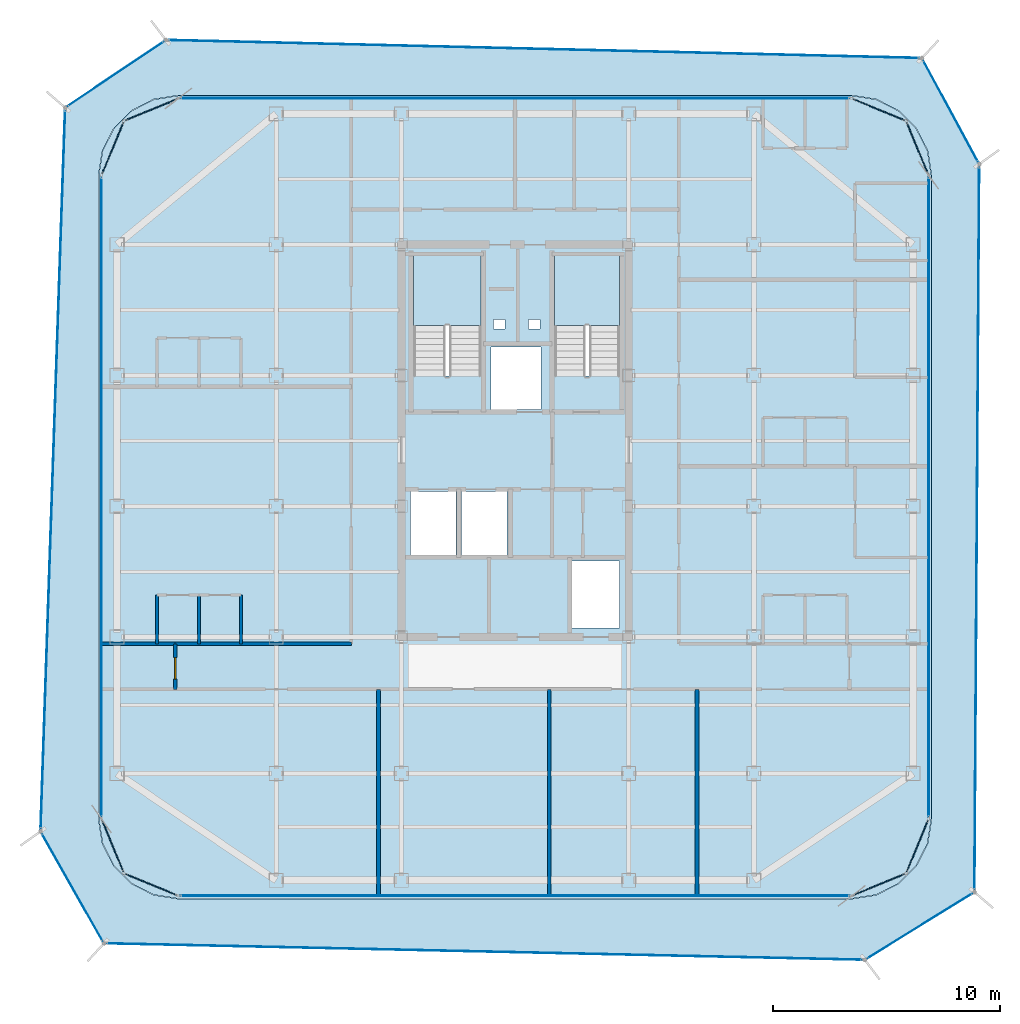
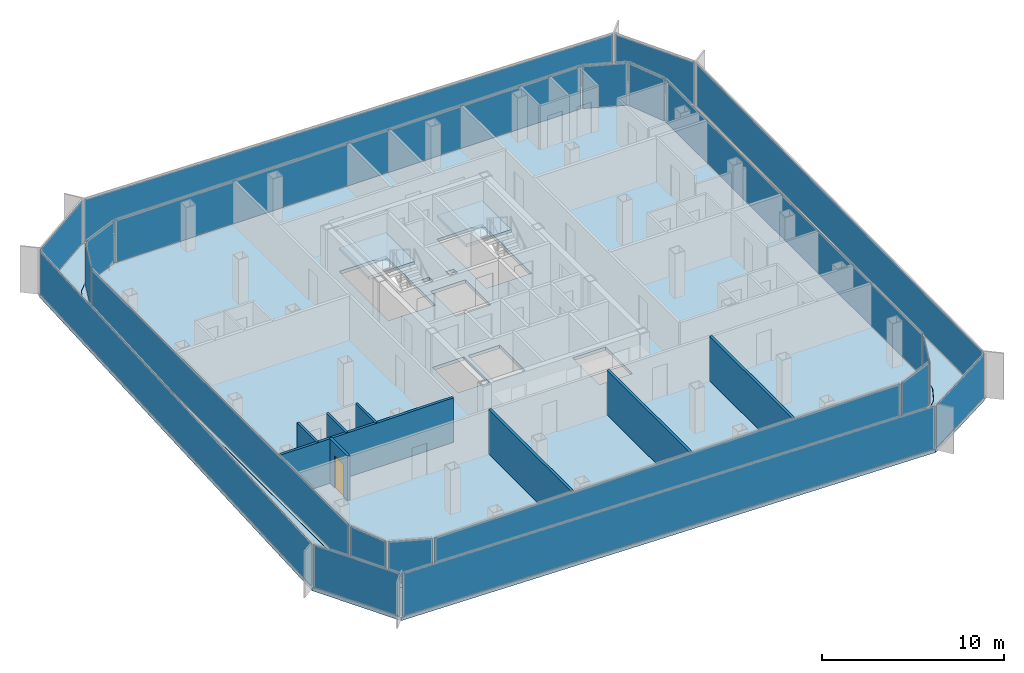
# One storey, part 9 of 15: 20 plates, 9 walls, 4 slabs, 1 door, 1 opening, 22 elements without a shape of their own.
"""IFC4 building model written with IfcOpenShell, lengths in metres."""

from ifc_helpers import new_model, si_unit, direction, frame, frame_2d, origin, origin_2d, place, context, subcontext, project, spatial, polyline, rectangle, outline, extrude, source, transform, mapped, material, layer, layer_set, type_object, element, fill, aggregate, save


model = new_model("IFC4")

# Units and contexts
model_context = context("Model", 3, precision=1e-05, world=origin(), true_north=direction((0.0, 1.0)))
body_context = subcontext(model_context, "Body", "Model", "MODEL_VIEW")
ifc_project = project(units=[si_unit("LENGTHUNIT", "METRE"), si_unit("AREAUNIT", "SQUARE_METRE"), si_unit("VOLUMEUNIT", "CUBIC_METRE"), si_unit("PLANEANGLEUNIT", "RADIAN"), si_unit("MASSUNIT", "GRAM", prefix="KILO")], contexts=[model_context])

# Site, building, storey
site_placement = place(None, origin())
site = spatial("IfcSite", under=ifc_project, at=site_placement, CompositionType="ELEMENT")
building_placement = place(site_placement, origin())
building = spatial("IfcBuilding", under=site, at=building_placement, Name="Kolveth Station Tower", CompositionType="ELEMENT")
storey_placement = place(building_placement, frame((0.0, 0.0, 248.89990234375)))
storey = spatial("IfcBuildingStorey", under=building, at=storey_placement, Name="L71", CompositionType="ELEMENT", Elevation=248.89990234375)

# Slab
ifc_material_1 = material(Name="Concrete C40/50", Category="concrete")
ifc_layer_1 = layer(ifc_material_1, 0.219970703125)
ifc_layer_set_1 = layer_set([ifc_layer_1], Name="Concrete C40/50")
slab_type_1 = type_object("IfcSlabType", Name="Slab_SF-220", PredefinedType="FLOOR", material=ifc_layer_set_1)
slab_1_placement = place(storey_placement, frame((0.0, 0.0, -0.219970703125)))
element("IfcSlab", 1, at=slab_1_placement, inside=storey, type_object=slab_type_1, Name="L71 Tower Structural Floor Slab", PredefinedType="FLOOR", context=body_context, shape_type="SweptSolid", body=[
    extrude(outline(polyline([(38.300048828125, 0.0), (39.381591796875, 0.17138671875), (40.357177734375, 0.66845703125), (41.131591796875, 1.44287109375), (41.628662109375, 2.41845703125), (41.800048828125, 3.5), (41.800048828125, 31.800048828125), (41.628662109375, 32.881591796875), (41.131591796875, 33.857177734375), (40.357177734375, 34.631591796875), (39.381591796875, 35.128662109375), (38.300048828125, 35.300048828125), (8.699951171875, 35.300048828125), (7.618408203125, 35.128662109375), (6.642822265625, 34.631591796875), (5.868408203125, 33.857177734375), (5.371337890625, 32.881591796875), (5.199951171875, 31.800048828125), (5.199951171875, 3.5), (5.371337890625, 2.41845703125), (5.868408203125, 1.44287109375), (6.642822265625, 0.66845703125), (7.618408203125, 0.17138671875), (8.699951171875, 0.0), (38.300048828125, 0.0)]), holes=[polyline([(19.0400390625, 22.985107421875), (22.0, 22.985107421875), (22.0, 28.39990234375), (19.0400390625, 28.39990234375), (19.0400390625, 22.985107421875)]), polyline([(25.239990234375, 22.985107421875), (28.10009765625, 22.985107421875), (28.10009765625, 28.39990234375), (25.239990234375, 28.39990234375), (25.239990234375, 22.985107421875)]), polyline([(18.89990234375, 15.10009765625), (20.89990234375, 15.10009765625), (20.89990234375, 17.89990234375), (18.89990234375, 17.89990234375), (18.89990234375, 15.10009765625)]), polyline([(21.14990234375, 15.10009765625), (23.14990234375, 15.10009765625), (23.14990234375, 17.89990234375), (21.14990234375, 17.89990234375), (21.14990234375, 15.10009765625)]), polyline([(22.449951171875, 21.5), (24.64990234375, 21.5), (24.64990234375, 24.25), (22.449951171875, 24.25), (22.449951171875, 21.5)]), polyline([(26.0, 11.89990234375), (28.10009765625, 11.89990234375), (28.10009765625, 14.85009765625), (26.0, 14.85009765625), (26.0, 11.89990234375)]), polyline([(22.550048828125, 25.050048828125), (23.050048828125, 25.050048828125), (23.050048828125, 25.449951171875), (22.550048828125, 25.449951171875), (22.550048828125, 25.050048828125)]), polyline([(24.10009765625, 25.050048828125), (24.60009765625, 25.050048828125), (24.60009765625, 25.449951171875), (24.10009765625, 25.449951171875), (24.10009765625, 25.050048828125)])]), origin(), (0.0, 0.0, 1.0), 0.219970703125),
])

# Stair, slab
stair_type_1 = type_object("IfcStairType", Name="Stair_ST2", PredefinedType="HALF_TURN_STAIR", material=ifc_material_1)
stair_1_placement = place(storey_placement, origin())
stair_1 = element("IfcStair", 2, at=stair_1_placement, inside=storey, type_object=stair_type_1, Name="L71 Tower Exit Stair ST2", PredefinedType="HALF_TURN_STAIR")
ifc_layer_2 = layer(ifc_material_1, 0.18994140625)
ifc_layer_set_2 = layer_set([ifc_layer_2], Name="Concrete C40/50")
slab_type_2 = type_object("IfcSlabType", Name="Slab_SL-190", PredefinedType="LANDING", material=ifc_layer_set_2)
slab_2_placement = place(storey_placement, frame((0.0, 0.0, 1.400146484375)))
slab_2 = element("IfcSlab", 3, at=slab_2_placement, type_object=slab_type_2, Name="ST2 landing 1", PredefinedType="LANDING", context=body_context, shape_type="SweptSolid", body=[
    extrude(outline(polyline([(28.10009765625, 25.18994140625), (28.10009765625, 28.39990234375), (25.239990234375, 28.39990234375), (25.239990234375, 25.18994140625), (28.10009765625, 25.18994140625)])), origin(), (0.0, 0.0, 1.0), 0.199951171875),
])
aggregate(stair_1, [slab_2])

stair_type_2 = type_object("IfcStairType", Name="Stair_ST1", PredefinedType="HALF_TURN_STAIR", material=ifc_material_1)
stair_2_placement = place(storey_placement, origin())
stair_2 = element("IfcStair", 4, at=stair_2_placement, inside=storey, type_object=stair_type_2, Name="L71 Tower Exit Stair ST1", PredefinedType="HALF_TURN_STAIR")
ifc_layer_3 = layer(ifc_material_1, 0.205078125)
ifc_layer_set_3 = layer_set([ifc_layer_3], Name="Concrete C40/50")
slab_type_3 = type_object("IfcSlabType", Name="Slab_SL-205", PredefinedType="LANDING", material=ifc_layer_set_3)
slab_3_placement = place(storey_placement, frame((0.0, 0.0, 1.400146484375)))
slab_3 = element("IfcSlab", 5, at=slab_3_placement, type_object=slab_type_3, Name="ST1 landing 1", PredefinedType="LANDING", context=body_context, shape_type="SweptSolid", body=[
    extrude(outline(polyline([(22.0, 25.18994140625), (22.0, 28.39990234375), (19.0400390625, 28.39990234375), (19.0400390625, 25.18994140625), (22.0, 25.18994140625)])), origin(), (0.0, 0.0, 1.0), 0.199951171875),
])
aggregate(stair_2, [slab_3])

# Slab
ifc_layer_4 = layer(ifc_material_1, 0.2099609375)
ifc_layer_set_4 = layer_set([ifc_layer_4], Name="Concrete C40/50")
slab_type_4 = type_object("IfcSlabType", Name="Slab_ST-210", PredefinedType="FLOOR", material=ifc_layer_set_4)
slab_4_placement = place(storey_placement, frame((0.0, 0.0, -0.2099609375)))
element("IfcSlab", 6, at=slab_4_placement, inside=storey, type_object=slab_type_4, Name="L71 Double-Skin Cavity Structural Ledger Ring", PredefinedType="FLOOR", context=body_context, shape_type="SweptSolid", body=[
    extrude(outline(polyline([(5.428466796875, -1.969482421875), (2.64111328125, 2.952392578125), (3.724609375, 34.770751953125), (8.152099609375, 37.745361328125), (41.389892578125, 36.951904296875), (43.91162109375, 32.2919921875), (43.70068359375, 0.28564453125), (38.87890625, -2.694091796875), (5.428466796875, -1.969482421875)]), holes=[polyline([(38.30224609375, -0.014892578125), (39.3837890625, 0.156494140625), (39.388427734375, 0.157958984375), (40.364013671875, 0.655029296875), (40.367919921875, 0.65771484375), (41.14208984375, 1.43212890625), (41.14501953125, 1.43603515625), (41.64208984375, 2.41162109375), (41.6435546875, 2.416015625), (41.814697265625, 3.497802734375), (41.81494140625, 3.5), (41.81494140625, 31.800048828125), (41.814697265625, 31.80224609375), (41.6435546875, 32.8837890625), (41.64208984375, 32.888427734375), (41.14501953125, 33.864013671875), (41.14208984375, 33.867919921875), (40.367919921875, 34.64208984375), (40.364013671875, 34.64501953125), (39.388427734375, 35.14208984375), (39.3837890625, 35.1435546875), (38.30224609375, 35.314697265625), (38.300048828125, 35.31494140625), (8.699951171875, 35.31494140625), (8.69775390625, 35.314697265625), (7.6162109375, 35.1435546875), (7.611572265625, 35.14208984375), (6.635986328125, 34.64501953125), (6.632080078125, 34.64208984375), (5.85791015625, 33.867919921875), (5.85498046875, 33.864013671875), (5.35791015625, 32.888427734375), (5.3564453125, 32.8837890625), (5.185302734375, 31.80224609375), (5.18505859375, 31.800048828125), (5.18505859375, 3.5), (5.185302734375, 3.497802734375), (5.3564453125, 2.416015625), (5.35791015625, 2.41162109375), (5.85498046875, 1.43603515625), (5.85791015625, 1.43212890625), (6.632080078125, 0.65771484375), (6.635986328125, 0.655029296875), (7.611572265625, 0.157958984375), (7.6162109375, 0.156494140625), (8.69775390625, -0.014892578125), (8.699951171875, -0.014892578125), (38.300048828125, -0.014892578125), (38.30224609375, -0.014892578125)])]), origin(), (0.0, 0.0, 1.0), 0.2099609375),
])

# Curtain wall, plate
ifc_material_2 = material(Name="Aluminium 6063-T6 and triple low-E dark glass", Category="aluminium")
ifc_layer_5 = layer(ifc_material_2, 0.199951171875)
ifc_layer_set_5 = layer_set([ifc_layer_5], Name="Aluminium 6063-T6 and triple low-E dark glass")
curtain_wall_type_1 = type_object("IfcCurtainWallType", Name="CurtainWall_CW-Z3", PredefinedType="NOTDEFINED", material=ifc_layer_set_5)
curtain_wall_1_placement = place(storey_placement, origin())
curtain_wall_1 = element("IfcCurtainWall", 7, at=curtain_wall_1_placement, inside=storey, type_object=curtain_wall_type_1, Name="L71 Inner Thermal Curtain Wall 1", PredefinedType="NOTDEFINED")
ifc_material_3 = material(Name="Architectural low-E dark glass", Category="glass")
ifc_layer_6 = layer(ifc_material_3, 0.0419921875)
ifc_layer_set_6 = layer_set([ifc_layer_6], Name="Architectural low-E dark glass")
plate_type_1 = type_object("IfcPlateType", Name="Panel_GL3", PredefinedType="CURTAIN_PANEL", material=ifc_layer_set_6)
shared_shape_1 = source(origin(), body_context, "Body", "SweptSolid", [
    extrude(rectangle(XDim=2.430908203125, YDim=0.0419921875, at=origin_2d()), origin(), (0.0, 0.0, 1.0), 2.823974609375),
])
plate_1_placement = place(storey_placement, frame((39.4951171875, 0.614990234375, 0.078125), z_axis=(0.0, 0.0, 1.0), x_axis=(0.923875488975, 0.382693194181, 0.0)))
plate_1 = element("IfcPlate", 8, at=plate_1_placement, type_object=plate_type_1, Name="CW-Z3 panel 1.1", PredefinedType="CURTAIN_PANEL", context=body_context, shape_type="MappedRepresentation", body=[
    mapped(shared_shape_1, transform((0.0, 0.0, 0.0), x_axis=(1.0, 0.0, 0.0), y_axis=(0.0, 1.0, 0.0), z_axis=(0.0, 0.0, 1.0), scale=1.0)),
])
aggregate(curtain_wall_1, [plate_1])

curtain_wall_2_placement = place(storey_placement, origin())
curtain_wall_2 = element("IfcCurtainWall", 9, at=curtain_wall_2_placement, inside=storey, type_object=curtain_wall_type_1, Name="L71 Inner Thermal Curtain Wall 2", PredefinedType="NOTDEFINED")
plate_2_placement = place(storey_placement, frame((41.18505859375, 2.304931640625, 0.078125), z_axis=(0.0, 0.0, 1.0), x_axis=(0.382693194181, 0.923875488975, 0.0)))
plate_2 = element("IfcPlate", 10, at=plate_2_placement, type_object=plate_type_1, Name="CW-Z3 panel 1.1", PredefinedType="CURTAIN_PANEL", context=body_context, shape_type="MappedRepresentation", body=[
    mapped(shared_shape_1, transform((0.0, 0.0, 0.0), x_axis=(1.0, 0.0, 0.0), y_axis=(0.0, 1.0, 0.0), z_axis=(0.0, 0.0, 1.0), scale=1.0)),
])
aggregate(curtain_wall_2, [plate_2])

curtain_wall_3_placement = place(storey_placement, origin())
curtain_wall_3 = element("IfcCurtainWall", 11, at=curtain_wall_3_placement, inside=storey, type_object=curtain_wall_type_1, Name="L71 Inner Thermal Curtain Wall 4", PredefinedType="NOTDEFINED")
plate_3_placement = place(storey_placement, frame((41.18505859375, 32.9951171875, 0.078125), z_axis=(0.0, 0.0, 1.0), x_axis=(-0.382693194181, 0.923875488975, 0.0)))
plate_3 = element("IfcPlate", 12, at=plate_3_placement, type_object=plate_type_1, Name="CW-Z3 panel 1.1", PredefinedType="CURTAIN_PANEL", context=body_context, shape_type="MappedRepresentation", body=[
    mapped(shared_shape_1, transform((0.0, 0.0, 0.0), x_axis=(1.0, 0.0, 0.0), y_axis=(0.0, 1.0, 0.0), z_axis=(0.0, 0.0, 1.0), scale=1.0)),
])
aggregate(curtain_wall_3, [plate_3])

curtain_wall_4_placement = place(storey_placement, origin())
curtain_wall_4 = element("IfcCurtainWall", 13, at=curtain_wall_4_placement, inside=storey, type_object=curtain_wall_type_1, Name="L71 Inner Thermal Curtain Wall 5", PredefinedType="NOTDEFINED")
plate_4_placement = place(storey_placement, frame((39.4951171875, 34.68505859375, 0.078125), z_axis=(0.0, 0.0, 1.0), x_axis=(-0.923875488975, 0.382693194181, 0.0)))
plate_4 = element("IfcPlate", 14, at=plate_4_placement, type_object=plate_type_1, Name="CW-Z3 panel 1.1", PredefinedType="CURTAIN_PANEL", context=body_context, shape_type="MappedRepresentation", body=[
    mapped(shared_shape_1, transform((0.0, 0.0, 0.0), x_axis=(1.0, 0.0, 0.0), y_axis=(0.0, 1.0, 0.0), z_axis=(0.0, 0.0, 1.0), scale=1.0)),
])
aggregate(curtain_wall_4, [plate_4])

curtain_wall_5_placement = place(storey_placement, origin())
curtain_wall_5 = element("IfcCurtainWall", 15, at=curtain_wall_5_placement, inside=storey, type_object=curtain_wall_type_1, Name="L71 Inner Thermal Curtain Wall 7", PredefinedType="NOTDEFINED")
plate_5_placement = place(storey_placement, frame((7.5048828125, 34.68505859375, 0.078125), z_axis=(0.0, 0.0, 1.0), x_axis=(-0.923875488975, -0.382693194181, 0.0)))
plate_5 = element("IfcPlate", 16, at=plate_5_placement, type_object=plate_type_1, Name="CW-Z3 panel 1.1", PredefinedType="CURTAIN_PANEL", context=body_context, shape_type="MappedRepresentation", body=[
    mapped(shared_shape_1, transform((0.0, 0.0, 0.0), x_axis=(1.0, 0.0, 0.0), y_axis=(0.0, 1.0, 0.0), z_axis=(0.0, 0.0, 1.0), scale=1.0)),
])
aggregate(curtain_wall_5, [plate_5])

curtain_wall_6_placement = place(storey_placement, origin())
curtain_wall_6 = element("IfcCurtainWall", 17, at=curtain_wall_6_placement, inside=storey, type_object=curtain_wall_type_1, Name="L71 Inner Thermal Curtain Wall 8", PredefinedType="NOTDEFINED")
plate_6_placement = place(storey_placement, frame((5.81494140625, 32.9951171875, 0.078125), z_axis=(0.0, 0.0, 1.0), x_axis=(-0.382693194181, -0.923875488975, 0.0)))
plate_6 = element("IfcPlate", 18, at=plate_6_placement, type_object=plate_type_1, Name="CW-Z3 panel 1.1", PredefinedType="CURTAIN_PANEL", context=body_context, shape_type="MappedRepresentation", body=[
    mapped(shared_shape_1, transform((0.0, 0.0, 0.0), x_axis=(1.0, 0.0, 0.0), y_axis=(0.0, 1.0, 0.0), z_axis=(0.0, 0.0, 1.0), scale=1.0)),
])
aggregate(curtain_wall_6, [plate_6])

curtain_wall_7_placement = place(storey_placement, origin())
curtain_wall_7 = element("IfcCurtainWall", 19, at=curtain_wall_7_placement, inside=storey, type_object=curtain_wall_type_1, Name="L71 Inner Thermal Curtain Wall 10", PredefinedType="NOTDEFINED")
plate_7_placement = place(storey_placement, frame((5.81494140625, 2.304931640625, 0.078125), z_axis=(0.0, 0.0, 1.0), x_axis=(0.382693194181, -0.923875488975, 0.0)))
plate_7 = element("IfcPlate", 20, at=plate_7_placement, type_object=plate_type_1, Name="CW-Z3 panel 1.1", PredefinedType="CURTAIN_PANEL", context=body_context, shape_type="MappedRepresentation", body=[
    mapped(shared_shape_1, transform((0.0, 0.0, 0.0), x_axis=(1.0, 0.0, 0.0), y_axis=(0.0, 1.0, 0.0), z_axis=(0.0, 0.0, 1.0), scale=1.0)),
])
aggregate(curtain_wall_7, [plate_7])

curtain_wall_8_placement = place(storey_placement, origin())
curtain_wall_8 = element("IfcCurtainWall", 21, at=curtain_wall_8_placement, inside=storey, type_object=curtain_wall_type_1, Name="L71 Inner Thermal Curtain Wall 11", PredefinedType="NOTDEFINED")
plate_8_placement = place(storey_placement, frame((7.5048828125, 0.614990234375, 0.078125), z_axis=(0.0, 0.0, 1.0), x_axis=(0.923875488975, -0.382693194181, 0.0)))
plate_8 = element("IfcPlate", 22, at=plate_8_placement, type_object=plate_type_1, Name="CW-Z3 panel 1.1", PredefinedType="CURTAIN_PANEL", context=body_context, shape_type="MappedRepresentation", body=[
    mapped(shared_shape_1, transform((0.0, 0.0, 0.0), x_axis=(1.0, 0.0, 0.0), y_axis=(0.0, 1.0, 0.0), z_axis=(0.0, 0.0, 1.0), scale=1.0)),
])
aggregate(curtain_wall_8, [plate_8])

curtain_wall_9_placement = place(storey_placement, origin())
curtain_wall_9 = element("IfcCurtainWall", 23, at=curtain_wall_9_placement, inside=storey, type_object=curtain_wall_type_1, Name="L71 Inner Thermal Curtain Wall 3", PredefinedType="NOTDEFINED")
shared_shape_2 = source(origin(), body_context, "Body", "SweptSolid", [
    extrude(rectangle(XDim=28.14404296875, YDim=0.0419921875, at=origin_2d()), origin(), (0.0, 0.0, 1.0), 2.823974609375),
])
plate_9_placement = place(storey_placement, frame((41.679931640625, 17.64990234375, 0.078125), z_axis=(0.0, 0.0, 1.0), x_axis=(0.0, 1.0, 0.0)))
plate_9 = element("IfcPlate", 24, at=plate_9_placement, type_object=plate_type_1, Name="CW-Z3 panel 1.1", PredefinedType="CURTAIN_PANEL", context=body_context, shape_type="MappedRepresentation", body=[
    mapped(shared_shape_2, transform((0.0, 0.0, 0.0), x_axis=(1.0, 0.0, 0.0), y_axis=(0.0, 1.0, 0.0), z_axis=(0.0, 0.0, 1.0), scale=1.0)),
])
aggregate(curtain_wall_9, [plate_9])

curtain_wall_10_placement = place(storey_placement, origin())
curtain_wall_10 = element("IfcCurtainWall", 25, at=curtain_wall_10_placement, inside=storey, type_object=curtain_wall_type_1, Name="L71 Inner Thermal Curtain Wall 9", PredefinedType="NOTDEFINED")
plate_10_placement = place(storey_placement, frame((5.320068359375, 17.64990234375, 0.078125), z_axis=(0.0, 0.0, 1.0), x_axis=(0.0, -1.0, 0.0)))
plate_10 = element("IfcPlate", 26, at=plate_10_placement, type_object=plate_type_1, Name="CW-Z3 panel 1.1", PredefinedType="CURTAIN_PANEL", context=body_context, shape_type="MappedRepresentation", body=[
    mapped(shared_shape_2, transform((0.0, 0.0, 0.0), x_axis=(1.0, 0.0, 0.0), y_axis=(0.0, 1.0, 0.0), z_axis=(0.0, 0.0, 1.0), scale=1.0)),
])
aggregate(curtain_wall_10, [plate_10])

curtain_wall_11_placement = place(storey_placement, origin())
curtain_wall_11 = element("IfcCurtainWall", 27, at=curtain_wall_11_placement, inside=storey, type_object=curtain_wall_type_1, Name="L71 Inner Thermal Curtain Wall 6", PredefinedType="NOTDEFINED")
shared_shape_3 = source(origin(), body_context, "Body", "SweptSolid", [
    extrude(rectangle(XDim=29.444091796875, YDim=0.0419921875, at=origin_2d()), origin(), (0.0, 0.0, 1.0), 2.823974609375),
])
plate_11_placement = place(storey_placement, frame((23.5, 35.179931640625, 0.078125), z_axis=(0.0, 0.0, 1.0), x_axis=(-1.0, 0.0, 0.0)))
plate_11 = element("IfcPlate", 28, at=plate_11_placement, type_object=plate_type_1, Name="CW-Z3 panel 1.1", PredefinedType="CURTAIN_PANEL", context=body_context, shape_type="MappedRepresentation", body=[
    mapped(shared_shape_3, transform((0.0, 0.0, 0.0), x_axis=(1.0, 0.0, 0.0), y_axis=(0.0, 1.0, 0.0), z_axis=(0.0, 0.0, 1.0), scale=1.0)),
])
aggregate(curtain_wall_11, [plate_11])

curtain_wall_12_placement = place(storey_placement, origin())
curtain_wall_12 = element("IfcCurtainWall", 29, at=curtain_wall_12_placement, inside=storey, type_object=curtain_wall_type_1, Name="L71 Inner Thermal Curtain Wall 12", PredefinedType="NOTDEFINED")
plate_12_placement = place(storey_placement, frame((23.5, 0.1201171875, 0.078125), z_axis=(0.0, 0.0, 1.0), x_axis=(1.0, 0.0, 0.0)))
plate_12 = element("IfcPlate", 30, at=plate_12_placement, type_object=plate_type_1, Name="CW-Z3 panel 1.1", PredefinedType="CURTAIN_PANEL", context=body_context, shape_type="MappedRepresentation", body=[
    mapped(shared_shape_3, transform((0.0, 0.0, 0.0), x_axis=(1.0, 0.0, 0.0), y_axis=(0.0, 1.0, 0.0), z_axis=(0.0, 0.0, 1.0), scale=1.0)),
])
aggregate(curtain_wall_12, [plate_12])

ifc_material_4 = material(Name="Black anodized aluminium 6063-T6 and dark solar glass", Category="aluminium")
ifc_layer_7 = layer(ifc_material_4, 0.159912109375)
ifc_layer_set_7 = layer_set([ifc_layer_7], Name="Black anodized aluminium 6063-T6 and dark solar glass")
curtain_wall_type_2 = type_object("IfcCurtainWallType", Name="OUTER SKIN CW-OS", PredefinedType="NOTDEFINED", material=ifc_layer_set_7)
curtain_wall_13_placement = place(storey_placement, origin())
curtain_wall_13 = element("IfcCurtainWall", 31, at=curtain_wall_13_placement, inside=storey, type_object=curtain_wall_type_2, Name="L71 Outer Ventilated Skin Curtain Wall 1", PredefinedType="NOTDEFINED")
ifc_layer_8 = layer(ifc_material_3, 0.028076171875)
ifc_layer_set_8 = layer_set([ifc_layer_8], Name="Architectural low-E dark glass")
plate_type_2 = type_object("IfcPlateType", Name="Panel_GL-OS", PredefinedType="CURTAIN_PANEL", material=ifc_layer_set_8)
shared_shape_4 = source(origin(), body_context, "Body", "SweptSolid", [
    extrude(rectangle(XDim=5.50244140625, YDim=0.028076171875, at=origin_2d()), origin(), (0.0, 0.0, 1.0), 2.843994140625),
])
plate_13_placement = place(storey_placement, frame((41.289794921875, -1.204345703125, 0.0732421875), z_axis=(0.0, 0.0, 1.0), x_axis=(0.850679201201, 0.52568516875, 0.0)))
plate_13 = element("IfcPlate", 32, at=plate_13_placement, type_object=plate_type_2, Name="CW-OS panel 1.1", PredefinedType="CURTAIN_PANEL", context=body_context, shape_type="MappedRepresentation", body=[
    mapped(shared_shape_4, transform((0.0, 0.0, 0.0), x_axis=(1.0, 0.0, 0.0), y_axis=(0.0, 1.0, 0.0), z_axis=(0.0, 0.0, 1.0), scale=1.0)),
])
aggregate(curtain_wall_13, [plate_13])

curtain_wall_14_placement = place(storey_placement, origin())
curtain_wall_14 = element("IfcCurtainWall", 33, at=curtain_wall_14_placement, inside=storey, type_object=curtain_wall_type_2, Name="L71 Outer Ventilated Skin Curtain Wall 2", PredefinedType="NOTDEFINED")
shared_shape_5 = source(origin(), body_context, "Body", "SweptSolid", [
    extrude(rectangle(XDim=31.84130859375, YDim=0.028076171875, at=origin_2d()), origin(), (0.0, 0.0, 1.0), 2.843994140625),
])
plate_14_placement = place(storey_placement, frame((43.80615234375, 16.288818359375, 0.0732421875), z_axis=(0.0, 0.0, 1.0), x_axis=(0.00658601934, 0.999978311939, 0.0)))
plate_14 = element("IfcPlate", 34, at=plate_14_placement, type_object=plate_type_2, Name="CW-OS panel 1.1", PredefinedType="CURTAIN_PANEL", context=body_context, shape_type="MappedRepresentation", body=[
    mapped(shared_shape_5, transform((0.0, 0.0, 0.0), x_axis=(1.0, 0.0, 0.0), y_axis=(0.0, 1.0, 0.0), z_axis=(0.0, 0.0, 1.0), scale=1.0)),
])
aggregate(curtain_wall_14, [plate_14])

curtain_wall_15_placement = place(storey_placement, origin())
curtain_wall_15 = element("IfcCurtainWall", 35, at=curtain_wall_15_placement, inside=storey, type_object=curtain_wall_type_2, Name="L71 Outer Ventilated Skin Curtain Wall 3", PredefinedType="NOTDEFINED")
shared_shape_6 = source(origin(), body_context, "Body", "SweptSolid", [
    extrude(rectangle(XDim=5.13232421875, YDim=0.028076171875, at=origin_2d()), origin(), (0.0, 0.0, 1.0), 2.843994140625),
])
plate_15_placement = place(storey_placement, frame((42.650634765625, 34.6220703125, 0.0732421875), z_axis=(0.0, 0.0, 1.0), x_axis=(-0.475953575036, 0.879470405648, 0.0)))
plate_15 = element("IfcPlate", 36, at=plate_15_placement, type_object=plate_type_2, Name="CW-OS panel 1.1", PredefinedType="CURTAIN_PANEL", context=body_context, shape_type="MappedRepresentation", body=[
    mapped(shared_shape_6, transform((0.0, 0.0, 0.0), x_axis=(1.0, 0.0, 0.0), y_axis=(0.0, 1.0, 0.0), z_axis=(0.0, 0.0, 1.0), scale=1.0)),
])
aggregate(curtain_wall_15, [plate_15])

curtain_wall_16_placement = place(storey_placement, origin())
curtain_wall_16 = element("IfcCurtainWall", 37, at=curtain_wall_16_placement, inside=storey, type_object=curtain_wall_type_2, Name="L71 Outer Ventilated Skin Curtain Wall 4", PredefinedType="NOTDEFINED")
shared_shape_7 = source(origin(), body_context, "Body", "SweptSolid", [
    extrude(rectangle(XDim=33.081298828125, YDim=0.028076171875, at=origin_2d()), origin(), (0.0, 0.0, 1.0), 2.843994140625),
])
plate_16_placement = place(storey_placement, frame((24.77099609375, 37.3486328125, 0.0732421875), z_axis=(0.0, 0.0, 1.0), x_axis=(-0.999715221681, 0.023863686618, 0.0)))
plate_16 = element("IfcPlate", 38, at=plate_16_placement, type_object=plate_type_2, Name="CW-OS panel 1.1", PredefinedType="CURTAIN_PANEL", context=body_context, shape_type="MappedRepresentation", body=[
    mapped(shared_shape_7, transform((0.0, 0.0, 0.0), x_axis=(1.0, 0.0, 0.0), y_axis=(0.0, 1.0, 0.0), z_axis=(0.0, 0.0, 1.0), scale=1.0)),
])
aggregate(curtain_wall_16, [plate_16])

curtain_wall_17_placement = place(storey_placement, origin())
curtain_wall_17 = element("IfcCurtainWall", 39, at=curtain_wall_17_placement, inside=storey, type_object=curtain_wall_type_2, Name="L71 Outer Ventilated Skin Curtain Wall 5", PredefinedType="NOTDEFINED")
shared_shape_8 = source(origin(), body_context, "Body", "SweptSolid", [
    extrude(rectangle(XDim=5.16796875, YDim=0.028076171875, at=origin_2d()), origin(), (0.0, 0.0, 1.0), 2.843994140625),
])
plate_17_placement = place(storey_placement, frame((5.938232421875, 36.258056640625, 0.0732421875), z_axis=(0.0, 0.0, 1.0), x_axis=(-0.830066413859, -0.557664548437, 0.0)))
plate_17 = element("IfcPlate", 40, at=plate_17_placement, type_object=plate_type_2, Name="CW-OS panel 1.1", PredefinedType="CURTAIN_PANEL", context=body_context, shape_type="MappedRepresentation", body=[
    mapped(shared_shape_8, transform((0.0, 0.0, 0.0), x_axis=(1.0, 0.0, 0.0), y_axis=(0.0, 1.0, 0.0), z_axis=(0.0, 0.0, 1.0), scale=1.0)),
])
aggregate(curtain_wall_17, [plate_17])

curtain_wall_18_placement = place(storey_placement, origin())
curtain_wall_18 = element("IfcCurtainWall", 41, at=curtain_wall_18_placement, inside=storey, type_object=curtain_wall_type_2, Name="L71 Outer Ventilated Skin Curtain Wall 6", PredefinedType="NOTDEFINED")
shared_shape_9 = source(origin(), body_context, "Body", "SweptSolid", [
    extrude(rectangle(XDim=31.670654296875, YDim=0.028076171875, at=origin_2d()), origin(), (0.0, 0.0, 1.0), 2.843994140625),
])
plate_18_placement = place(storey_placement, frame((3.182861328125, 18.861572265625, 0.0732421875), z_axis=(0.0, 0.0, 1.0), x_axis=(-0.034026729455, -0.999420923176, 0.0)))
plate_18 = element("IfcPlate", 42, at=plate_18_placement, type_object=plate_type_2, Name="CW-OS panel 1.1", PredefinedType="CURTAIN_PANEL", context=body_context, shape_type="MappedRepresentation", body=[
    mapped(shared_shape_9, transform((0.0, 0.0, 0.0), x_axis=(1.0, 0.0, 0.0), y_axis=(0.0, 1.0, 0.0), z_axis=(0.0, 0.0, 1.0), scale=1.0)),
])
aggregate(curtain_wall_18, [plate_18])

curtain_wall_19_placement = place(storey_placement, origin())
curtain_wall_19 = element("IfcCurtainWall", 43, at=curtain_wall_19_placement, inside=storey, type_object=curtain_wall_type_2, Name="L71 Outer Ventilated Skin Curtain Wall 7", PredefinedType="NOTDEFINED")
shared_shape_10 = source(origin(), body_context, "Body", "SweptSolid", [
    extrude(rectangle(XDim=5.490234375, YDim=0.028076171875, at=origin_2d()), origin(), (0.0, 0.0, 1.0), 2.843994140625),
])
plate_19_placement = place(storey_placement, frame((4.034912109375, 0.491455078125, 0.0732421875), z_axis=(0.0, 0.0, 1.0), x_axis=(0.492768991927, -0.870160169506, 0.0)))
plate_19 = element("IfcPlate", 44, at=plate_19_placement, type_object=plate_type_2, Name="CW-OS panel 1.1", PredefinedType="CURTAIN_PANEL", context=body_context, shape_type="MappedRepresentation", body=[
    mapped(shared_shape_10, transform((0.0, 0.0, 0.0), x_axis=(1.0, 0.0, 0.0), y_axis=(0.0, 1.0, 0.0), z_axis=(0.0, 0.0, 1.0), scale=1.0)),
])
aggregate(curtain_wall_19, [plate_19])

curtain_wall_20_placement = place(storey_placement, origin())
curtain_wall_20 = element("IfcCurtainWall", 45, at=curtain_wall_20_placement, inside=storey, type_object=curtain_wall_type_2, Name="L71 Outer Ventilated Skin Curtain Wall 8", PredefinedType="NOTDEFINED")
shared_shape_11 = source(origin(), body_context, "Body", "SweptSolid", [
    extrude(rectangle(XDim=33.292236328125, YDim=0.028076171875, at=origin_2d()), origin(), (0.0, 0.0, 1.0), 2.843994140625),
])
plate_20_placement = place(storey_placement, frame((22.153564453125, -2.331787109375, 0.0732421875), z_axis=(0.0, 0.0, 1.0), x_axis=(0.999765333633, -0.021662817594, 0.0)))
plate_20 = element("IfcPlate", 46, at=plate_20_placement, type_object=plate_type_2, Name="CW-OS panel 1.1", PredefinedType="CURTAIN_PANEL", context=body_context, shape_type="MappedRepresentation", body=[
    mapped(shared_shape_11, transform((0.0, 0.0, 0.0), x_axis=(1.0, 0.0, 0.0), y_axis=(0.0, 1.0, 0.0), z_axis=(0.0, 0.0, 1.0), scale=1.0)),
])
aggregate(curtain_wall_20, [plate_20])

# Walls
ifc_material_5 = material(Name="Moisture-resistant gypsum partition")
ifc_layer_9 = layer(ifc_material_5, 0.135009765625)
ifc_layer_set_9 = layer_set([ifc_layer_9], Name="Moisture-resistant gypsum partition")
wall_type_1 = type_object("IfcWallType", Name="Wall_IW-135", PredefinedType="PARTITIONING", material=ifc_layer_set_9)
for number, where, z_axis, x_axis, name in (
    (47, (7.75, 11.199951171875, 0.0), (0.0, 0.0, 1.0), (0.0, 1.0, 0.0), "L71 Partition Wall WL-L71-W1-IBV0"),
    (48, (9.60009765625, 11.199951171875, 0.0), (0.0, 0.0, 1.0), (0.0, 1.0, 0.0), "L71 Partition Wall WL-L71-W1-IBV1"),
    (49, (11.449951171875, 11.199951171875, 0.0), (0.0, 0.0, 1.0), (0.0, 1.0, 0.0), "L71 Partition Wall WL-L71-W1-IBV2"),
):
    element("IfcWall", number, at=place(storey_placement, frame(where, z_axis=z_axis, x_axis=x_axis)), inside=storey, type_object=wall_type_1, Name=name, PredefinedType="PARTITIONING", context=body_context, shape_type="SweptSolid", body=[
        extrude(rectangle(XDim=2.150146484375, YDim=0.135009765625, at=frame_2d((1.0751953125, 0.0))), origin(), (0.0, 0.0, 1.0), 2.97998046875),
    ])
ifc_material_6 = material(Name="Acoustic double-stud gypsum partition")
ifc_layer_10 = layer(ifc_material_6, 0.1650390625)
ifc_layer_set_10 = layer_set([ifc_layer_10], Name="Acoustic double-stud gypsum partition")
wall_type_2 = type_object("IfcWallType", Name="Wall_IW-165", PredefinedType="PARTITIONING", material=ifc_layer_set_10)
wall_1_placement = place(storey_placement, frame((8.56005859375, 11.199951171875, 0.0), z_axis=(0.0, 0.0, 1.0), x_axis=(1.0, 0.0, 0.0)))
element("IfcWall", 50, at=wall_1_placement, inside=storey, type_object=wall_type_2, Name="L71 Partition Wall WL-L71-RSWT", PredefinedType="PARTITIONING", context=body_context, shape_type="SweptSolid", body=[
    extrude(rectangle(XDim=7.739990234375, YDim=0.1650390625, at=frame_2d((3.8701171875, 0.0))), origin(), (0.0, 0.0, 1.0), 2.97998046875),
])

# Wall, opening, door
wall_2_placement = place(storey_placement, frame((8.56005859375, 9.199951171875, 0.0), z_axis=(0.0, 0.0, 1.0), x_axis=(0.0, 1.0, 0.0)))
wall_2 = element("IfcWall", 51, at=wall_2_placement, inside=storey, type_object=wall_type_2, Name="L71 Partition Wall WL-L71-RSWE", PredefinedType="PARTITIONING", context=body_context, shape_type="SweptSolid", body=[
    extrude(rectangle(XDim=2.0, YDim=0.1650390625, at=frame_2d((1.0, 0.0))), origin(), (0.0, 0.0, 1.0), 2.97998046875),
])
opening_placement = place(wall_2_placement, frame((0.449951171875, 0.0, 0.0)))
opening = element("IfcOpeningElement", 52, at=opening_placement, cuts=wall_2, Name="Opening ID1", PredefinedType="OPENING", context=body_context, shape_type="SweptSolid", body=[
    extrude(rectangle(XDim=0.949951171875, YDim=2.14990234375, at=frame_2d((0.47509765625, 1.074951171875))), frame((0.0, 0.092529296875, 0.0), z_axis=(0.0, -1.0, 0.0), x_axis=(1.0, 0.0, 0.0)), (0.0, 0.0, 1.0), 0.18505859375),
])
ifc_material_7 = material(Name="Acoustic hardwood leaf and aluminium frame", Category="wood")
door_type = type_object("IfcDoorType", Name="Door_ID1", OperationType="NOTDEFINED", PredefinedType="DOOR", material=ifc_material_7)
door_placement = place(opening_placement, frame((0.949951171875, 0.0, 0.0), z_axis=(0.0, 0.0, 1.0), x_axis=(-1.0, 0.0, 0.0)))
door = element("IfcDoor", 53, at=door_placement, inside=storey, type_object=door_type, Name="L71 West Store Door", OperationType="SINGLE_SWING_LEFT", OverallHeight=2.14990234375, OverallWidth=0.949951171875, PredefinedType="DOOR", context=body_context, shape_type="SweptSolid", body=[
    extrude(rectangle(XDim=0.949951171875, YDim=2.14990234375, at=frame_2d((0.47509765625, 1.074951171875))), frame((0.0, 0.02490234375, 0.0), z_axis=(0.0, -1.0, 0.0), x_axis=(1.0, 0.0, 0.0)), (0.0, 0.0, 1.0), 0.050048828125),
])
fill(opening, door)

# Walls
for number, where, z_axis, x_axis, name in (
    (54, (17.5, 0.159912109375, 0.0), (0.0, 0.0, 1.0), (0.0, 1.0, 0.0), "L71 Partition Wall WL-L71-RSA-P1"),
    (55, (25.0, 0.159912109375, 0.0), (0.0, 0.0, 1.0), (0.0, 1.0, 0.0), "L71 Partition Wall WL-L71-RSA-P2"),
    (56, (31.5, 0.159912109375, 0.0), (0.0, 0.0, 1.0), (0.0, 1.0, 0.0), "L71 Partition Wall WL-L71-RSA-P3"),
):
    element("IfcWall", number, at=place(storey_placement, frame(where, z_axis=z_axis, x_axis=x_axis)), inside=storey, type_object=wall_type_2, Name=name, PredefinedType="PARTITIONING", context=body_context, shape_type="SweptSolid", body=[
        extrude(rectangle(XDim=9.0400390625, YDim=0.1650390625, at=frame_2d((4.52001953125, 0.0))), origin(), (0.0, 0.0, 1.0), 2.97998046875),
    ])
wall_3_placement = place(storey_placement, frame((5.360107421875, 11.199951171875, 0.0), z_axis=(0.0, 0.0, 1.0), x_axis=(1.0, 0.0, 0.0)))
element("IfcWall", 57, at=wall_3_placement, inside=storey, type_object=wall_type_2, Name="L71 Partition Wall WL-L71-WSTN", PredefinedType="PARTITIONING", context=body_context, shape_type="SweptSolid", body=[
    extrude(rectangle(XDim=3.199951171875, YDim=0.1650390625, at=frame_2d((1.60009765625, 0.0))), origin(), (0.0, 0.0, 1.0), 2.97998046875),
])

save(model, "model.ifc")
